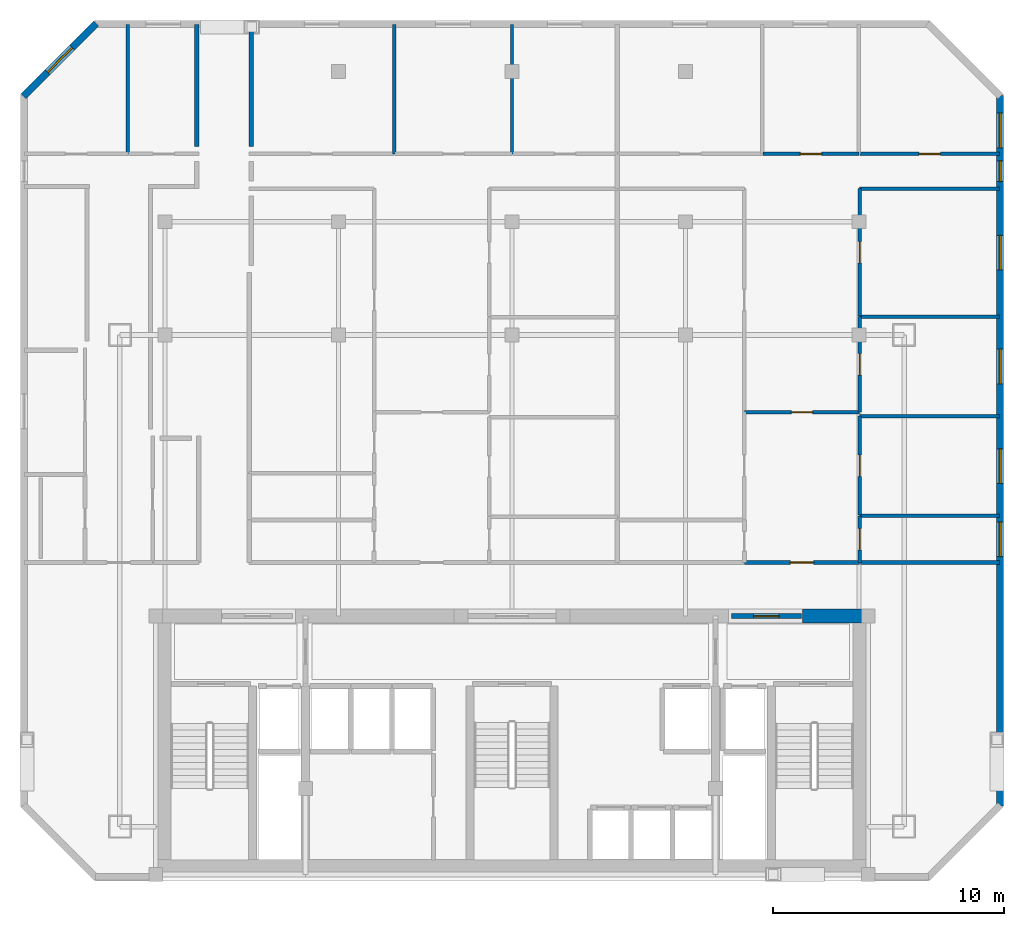
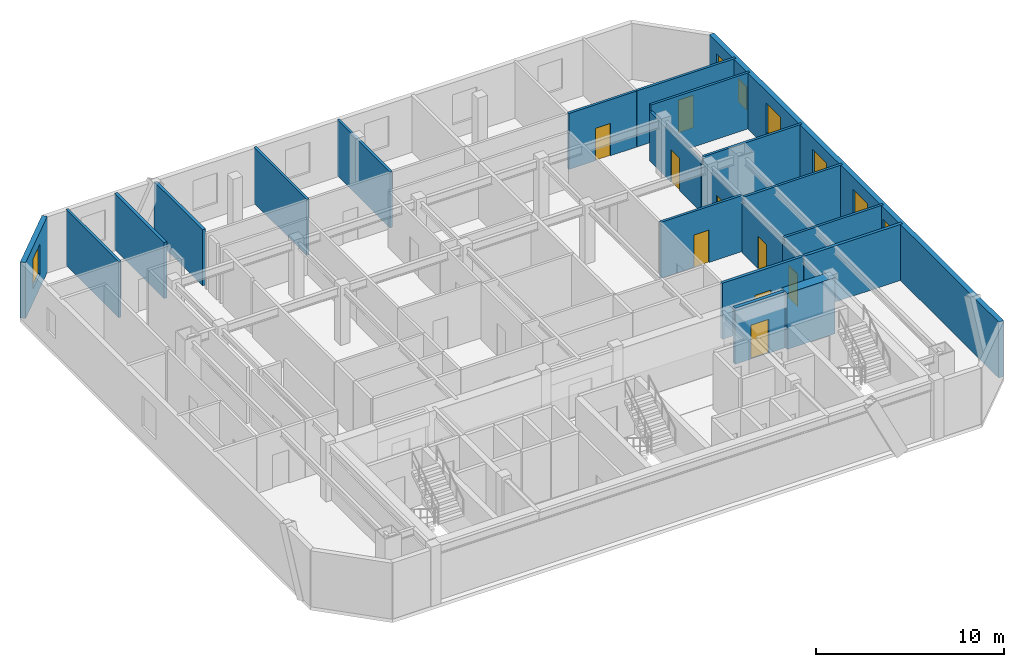
# One storey, part 5 of 7: 22 walls, 9 doors, 7 windows, 16 openings.
"""IFC4 building model written with IfcOpenShell, lengths in metres."""

from ifc_helpers import new_model, si_unit, direction, frame, frame_2d, origin, place, context, subcontext, project, spatial, rectangle, extrude, material, layer, layer_set, type_object, element, fill, save


model = new_model("IFC4")

# Units and contexts
model_context = context("Model", 3, precision=1e-05, world=origin(), true_north=direction((0.0, 1.0)))
body_context = subcontext(model_context, "Body", "Model", "MODEL_VIEW")
ifc_project = project(units=[si_unit("LENGTHUNIT", "METRE"), si_unit("AREAUNIT", "SQUARE_METRE"), si_unit("VOLUMEUNIT", "CUBIC_METRE"), si_unit("PLANEANGLEUNIT", "RADIAN"), si_unit("MASSUNIT", "GRAM", prefix="KILO")], contexts=[model_context])

# Site, building, storey
site_placement = place(None, origin())
site = spatial("IfcSite", under=ifc_project, at=site_placement, CompositionType="ELEMENT")
building_placement = place(site_placement, origin())
building = spatial("IfcBuilding", under=site, at=building_placement, Name="Ventersveld Concourse Tower", CompositionType="ELEMENT")
storey_placement = place(building_placement, frame((0.0, 0.0, 223.39990234375)))
storey = spatial("IfcBuildingStorey", under=building, at=storey_placement, Name="L55", CompositionType="ELEMENT", Elevation=223.39990234375)

# Wall
ifc_material_1 = material(Name="Concrete C50/60", Category="concrete")
ifc_layer_1 = layer(ifc_material_1, 0.60009765625)
ifc_layer_set_1 = layer_set([ifc_layer_1], Name="Concrete C50/60")
wall_type_1 = type_object("IfcWallType", Name="WL-CORE-600", PredefinedType="SHEAR", material=ifc_layer_set_1)
wall_1_placement = place(storey_placement, frame((41.300048828125, 11.449951171875, 0.0), z_axis=(0.0, 0.0, 1.0), x_axis=(1.0, 0.0, 0.0)))
element("IfcWall", 1, at=wall_1_placement, inside=storey, type_object=wall_type_1, Name="L55 Rear Core North Shear Wall NE", PredefinedType="SHEAR", context=body_context, shape_type="SweptSolid", body=[
    extrude(rectangle(XDim=2.949951171875, YDim=0.60009765625, at=frame_2d((1.47509765625, 0.0))), origin(), (0.0, 0.0, 1.0), 3.630126953125),
])

# Wall, opening, door
ifc_material_2 = material(Name="Fire-rated autoclaved aerated masonry blockwork", Category="masonry")
ifc_layer_2 = layer(ifc_material_2, 0.179931640625)
ifc_layer_set_2 = layer_set([ifc_layer_2], Name="Fire-rated autoclaved aerated masonry blockwork")
wall_type_2 = type_object("IfcWallType", Name="WL-CORR-180", PredefinedType="PARTITIONING", material=ifc_layer_set_2)
wall_2_placement = place(storey_placement, frame((38.792724609375, 13.77001953125, 0.0), z_axis=(0.0, 0.0, 1.0), x_axis=(1.0, 0.0, 0.0)))
wall_2 = element("IfcWall", 2, at=wall_2_placement, inside=storey, type_object=wall_type_2, Name="L55 Interior Partition SP-L55-COR-SP-L55-55N2-FOY", PredefinedType="PARTITIONING", context=body_context, shape_type="SweptSolid", body=[
    extrude(rectangle(XDim=4.989990234375, YDim=0.179931640625, at=frame_2d((2.4951171875, 0.0))), origin(), (0.0, 0.0, 1.0), 3.630126953125),
])
opening_1_placement = place(wall_2_placement, frame((1.9951171875, 0.0, 0.0)))
opening_1 = element("IfcOpeningElement", 3, at=opening_1_placement, cuts=wall_2, Name="Opening FD3", PredefinedType="OPENING", context=body_context, shape_type="SweptSolid", body=[
    extrude(rectangle(XDim=1.0, YDim=2.14990234375, at=frame_2d((0.5, 1.074951171875))), frame((0.0, 0.10009765625, 0.0), z_axis=(0.0, -1.0, 0.0), x_axis=(1.0, 0.0, 0.0)), (0.0, 0.0, 1.0), 0.199951171875),
])
ifc_material_3 = material(Name="Solid-core hardwood veneer timber", Category="wood")
door_type_1 = type_object("IfcDoorType", Name="DR-FLAT-100", OperationType="NOTDEFINED", PredefinedType="DOOR", material=ifc_material_3)
door_1_placement = place(opening_1_placement, origin())
door_1 = element("IfcDoor", 4, at=door_1_placement, inside=storey, type_object=door_type_1, Name="L55 Interior Door SP-L55-COR to SP-L55-55N2-FOY (FD-L55-2665)", OperationType="SINGLE_SWING_LEFT", OverallHeight=2.14990234375, OverallWidth=1.0, PredefinedType="DOOR", context=body_context, shape_type="SweptSolid", body=[
    extrude(rectangle(XDim=1.0, YDim=2.14990234375, at=frame_2d((0.5, 1.074951171875))), frame((0.0, 0.02490234375, 0.0), z_axis=(0.0, -1.0, 0.0), x_axis=(1.0, 0.0, 0.0)), (0.0, 0.0, 1.0), 0.050048828125),
])
fill(opening_1, door_1)

# Walls
wall_3_placement = place(storey_placement, frame((43.812744140625, 13.77001953125, 0.0), z_axis=(0.0, 0.0, 1.0), x_axis=(1.0, 0.0, 0.0)))
element("IfcWall", 5, at=wall_3_placement, inside=storey, type_object=wall_type_2, Name="L55 Interior Partition SP-L55-COR-SP-L55-55N2-KIT", PredefinedType="PARTITIONING", context=body_context, shape_type="SweptSolid", body=[
    extrude(rectangle(XDim=6.0146484375, YDim=0.179931640625, at=frame_2d((3.00732421875, 0.0))), origin(), (0.0, 0.0, 1.0), 3.630126953125),
])
wall_4_placement = place(storey_placement, frame((15.1201171875, 37.027587890625, 0.0), z_axis=(0.0, 0.0, 1.0), x_axis=(0.0, -1.0, 0.0)))
element("IfcWall", 6, at=wall_4_placement, inside=storey, type_object=wall_type_2, Name="L55 Room Enclosure Wall SP-L55-55NW-BR2", PredefinedType="PARTITIONING", context=body_context, shape_type="SweptSolid", body=[
    extrude(rectangle(XDim=5.272705078125, YDim=0.179931640625, at=frame_2d((2.63623046875, 0.0))), origin(), (0.0, 0.0, 1.0), 3.630126953125),
])
wall_5_placement = place(storey_placement, frame((17.47998046875, 31.7548828125, 0.0), z_axis=(0.0, 0.0, 1.0), x_axis=(0.0, 1.0, 0.0)))
element("IfcWall", 7, at=wall_5_placement, inside=storey, type_object=wall_type_2, Name="L55 Room Enclosure Wall SP-L55-55N1-BR1", PredefinedType="PARTITIONING", context=body_context, shape_type="SweptSolid", body=[
    extrude(rectangle(XDim=5.147216796875, YDim=0.179931640625, at=frame_2d((2.57373046875, 0.0))), origin(), (0.0, 0.0, 1.0), 3.630126953125),
])

# Wall, opening, door
ifc_layer_3 = layer(ifc_material_2, 0.219970703125)
ifc_layer_set_3 = layer_set([ifc_layer_3], Name="Fire-rated autoclaved aerated masonry blockwork")
wall_type_3 = type_object("IfcWallType", Name="WL-HOIST-220", PredefinedType="SOLIDWALL", material=ifc_layer_set_3)
wall_6_placement = place(storey_placement, frame((38.22998046875, 11.449951171875, 0.0), z_axis=(0.0, 0.0, 1.0), x_axis=(1.0, 0.0, 0.0)))
wall_6 = element("IfcWall", 8, at=wall_6_placement, inside=storey, type_object=wall_type_3, Name="L55 Core North Fire Portal FFLE-OUT", PredefinedType="SOLIDWALL", context=body_context, shape_type="SweptSolid", body=[
    extrude(rectangle(XDim=3.0400390625, YDim=0.219970703125, at=frame_2d((1.52001953125, 0.0))), origin(), (0.0, 0.0, 1.0), 3.630126953125),
])
opening_2_placement = place(wall_6_placement, frame((0.969970703125, 0.0, 0.0)))
opening_2 = element("IfcOpeningElement", 9, at=opening_2_placement, cuts=wall_6, Name="Opening FD2", PredefinedType="OPENING", context=body_context, shape_type="SweptSolid", body=[
    extrude(rectangle(XDim=1.10009765625, YDim=2.199951171875, at=frame_2d((0.550048828125, 1.10009765625))), frame((0.0, 0.1201171875, 0.0), z_axis=(0.0, -1.0, 0.0), x_axis=(1.0, 0.0, 0.0)), (0.0, 0.0, 1.0), 0.239990234375),
])
ifc_material_4 = material(Name="Galvanised painted steel", Category="steel")
door_type_2 = type_object("IfcDoorType", Name="DR-FFL-110", OperationType="NOTDEFINED", PredefinedType="DOOR", material=ifc_material_4)
door_2_placement = place(opening_2_placement, origin())
door_2 = element("IfcDoor", 10, at=door_2_placement, inside=storey, type_object=door_type_2, Name="L55 Core Lobby Fire Door FFLE-OUT (FD-L55-2661)", OperationType="SINGLE_SWING_LEFT", OverallHeight=2.199951171875, OverallWidth=1.10009765625, PredefinedType="DOOR", context=body_context, shape_type="SweptSolid", body=[
    extrude(rectangle(XDim=1.10009765625, YDim=2.199951171875, at=frame_2d((0.550048828125, 1.10009765625))), frame((0.0, 0.02490234375, 0.0), z_axis=(0.0, -1.0, 0.0), x_axis=(1.0, 0.0, 0.0)), (0.0, 0.0, 1.0), 0.050048828125),
])
fill(opening_2, door_2)

# Walls
ifc_material_5 = material(Name="Autoclaved aerated masonry blockwork", Category="masonry")
ifc_layer_4 = layer(ifc_material_5, 0.14990234375)
ifc_layer_set_4 = layer_set([ifc_layer_4], Name="Autoclaved aerated masonry blockwork")
wall_type_4 = type_object("IfcWallType", Name="WL-INT-150", PredefinedType="PARTITIONING", material=ifc_layer_set_4)
for number, where, z_axis, x_axis, name in (
    (11, (12.135986328125, 31.425048828125, 0.0), (0.0, 0.0, 1.0), (0.0, 1.0, 0.0), "L55 Interior Partition SP-L55-55NW-BR1-SP-L55-55NW-BR2"),
    (12, (23.654052734375, 31.425048828125, 0.0), (0.0, 0.0, 1.0), (0.0, 1.0, 0.0), "L55 Interior Partition SP-L55-55N1-BR1-SP-L55-55N1-BR2"),
    (13, (28.75, 31.425048828125, 0.0), (0.0, 0.0, 1.0), (0.0, 1.0, 0.0), "L55 Interior Partition SP-L55-55N1-BR2-SP-L55-55N1-BR3"),
):
    element("IfcWall", number, at=place(storey_placement, frame(where, z_axis=z_axis, x_axis=x_axis)), inside=storey, type_object=wall_type_4, Name=name, PredefinedType="PARTITIONING", context=body_context, shape_type="SweptSolid", body=[
        extrude(rectangle(XDim=5.6025390625, YDim=0.14990234375, at=frame_2d((2.80126953125, 0.0))), origin(), (0.0, 0.0, 1.0), 3.630126953125),
    ])

# Wall, opening, door
wall_7_placement = place(storey_placement, frame((38.792724609375, 20.26904296875, 0.0), z_axis=(0.0, 0.0, 1.0), x_axis=(1.0, 0.0, 0.0)))
wall_7 = element("IfcWall", 14, at=wall_7_placement, inside=storey, type_object=wall_type_4, Name="L55 Interior Partition SP-L55-55N2-FOY-SP-L55-55N2-LIV", PredefinedType="PARTITIONING", context=body_context, shape_type="SweptSolid", body=[
    extrude(rectangle(XDim=4.989990234375, YDim=0.14990234375, at=frame_2d((2.4951171875, 0.0))), origin(), (0.0, 0.0, 1.0), 3.630126953125),
])
opening_3_placement = place(wall_7_placement, frame((2.034912109375, 0.0, 0.0)))
opening_3 = element("IfcOpeningElement", 15, at=opening_3_placement, cuts=wall_7, Name="Opening ID1", PredefinedType="OPENING", context=body_context, shape_type="SweptSolid", body=[
    extrude(rectangle(XDim=0.919921875, YDim=2.10009765625, at=frame_2d((0.4599609375, 1.050048828125))), frame((0.0, 0.0849609375, 0.0), z_axis=(0.0, -1.0, 0.0), x_axis=(1.0, 0.0, 0.0)), (0.0, 0.0, 1.0), 0.169921875),
])
door_type_3 = type_object("IfcDoorType", Name="DR-ROOM-092", OperationType="NOTDEFINED", PredefinedType="DOOR", material=ifc_material_3)
door_3_placement = place(opening_3_placement, origin())
door_3 = element("IfcDoor", 16, at=door_3_placement, inside=storey, type_object=door_type_3, Name="L55 Interior Door SP-L55-55N2-FOY to SP-L55-55N2-LIV (D-L55-2683)", OperationType="SINGLE_SWING_LEFT", OverallHeight=2.10009765625, OverallWidth=0.919921875, PredefinedType="DOOR", context=body_context, shape_type="SweptSolid", body=[
    extrude(rectangle(XDim=0.919921875, YDim=2.10009765625, at=frame_2d((0.4599609375, 1.050048828125))), frame((0.0, 0.02490234375, 0.0), z_axis=(0.0, -1.0, 0.0), x_axis=(1.0, 0.0, 0.0)), (0.0, 0.0, 1.0), 0.050048828125),
])
fill(opening_3, door_3)

wall_8_placement = place(storey_placement, frame((43.777587890625, 13.764892578125, 0.0), z_axis=(0.0, 0.0, 1.0), x_axis=(0.0, 1.0, 0.0)))
wall_8 = element("IfcWall", 17, at=wall_8_placement, inside=storey, type_object=wall_type_4, Name="L55 Interior Partition SP-L55-55N2-FOY-SP-L55-55N2-KIT", PredefinedType="PARTITIONING", context=body_context, shape_type="SweptSolid", body=[
    extrude(rectangle(XDim=2.017822265625, YDim=0.14990234375, at=frame_2d((1.0087890625, 0.0))), origin(), (0.0, 0.0, 1.0), 3.2236328125),
])
opening_4_placement = place(wall_8_placement, frame((0.548828125, 0.0, 0.0)))
opening_4 = element("IfcOpeningElement", 18, at=opening_4_placement, cuts=wall_8, Name="Opening ID1", PredefinedType="OPENING", context=body_context, shape_type="SweptSolid", body=[
    extrude(rectangle(XDim=0.919921875, YDim=2.10009765625, at=frame_2d((0.4599609375, 1.050048828125))), frame((0.0, 0.0849609375, 0.0), z_axis=(0.0, -1.0, 0.0), x_axis=(1.0, 0.0, 0.0)), (0.0, 0.0, 1.0), 0.169921875),
])
door_4_placement = place(opening_4_placement, origin())
door_4 = element("IfcDoor", 19, at=door_4_placement, inside=storey, type_object=door_type_3, Name="L55 Interior Door SP-L55-55N2-FOY to SP-L55-55N2-KIT (D-L55-2686)", OperationType="SINGLE_SWING_RIGHT", OverallHeight=2.10009765625, OverallWidth=0.919921875, PredefinedType="DOOR", context=body_context, shape_type="SweptSolid", body=[
    extrude(rectangle(XDim=0.919921875, YDim=2.10009765625, at=frame_2d((0.4599609375, 1.050048828125))), frame((0.0, 0.02490234375, 0.0), z_axis=(0.0, -1.0, 0.0), x_axis=(1.0, 0.0, 0.0)), (0.0, 0.0, 1.0), 0.050048828125),
])
fill(opening_4, door_4)

wall_9_placement = place(storey_placement, frame((43.777587890625, 15.812744140625, 0.0), z_axis=(0.0, 0.0, 1.0), x_axis=(0.0, 1.0, 0.0)))
wall_9 = element("IfcWall", 20, at=wall_9_placement, inside=storey, type_object=wall_type_4, Name="L55 Interior Partition SP-L55-55N2-FOY-SP-L55-55N2-DENR", PredefinedType="PARTITIONING", context=body_context, shape_type="SweptSolid", body=[
    extrude(rectangle(XDim=4.279052734375, YDim=0.14990234375, at=frame_2d((2.1396484375, 0.0))), origin(), (0.0, 0.0, 1.0), 3.2236328125),
])
opening_5_placement = place(wall_9_placement, frame((1.679443359375, 0.0, 0.0)))
opening_5 = element("IfcOpeningElement", 21, at=opening_5_placement, cuts=wall_9, Name="Opening ID1", PredefinedType="OPENING", context=body_context, shape_type="SweptSolid", body=[
    extrude(rectangle(XDim=0.919921875, YDim=2.10009765625, at=frame_2d((0.4599609375, 1.050048828125))), frame((0.0, 0.0849609375, 0.0), z_axis=(0.0, -1.0, 0.0), x_axis=(1.0, 0.0, 0.0)), (0.0, 0.0, 1.0), 0.169921875),
])
door_5_placement = place(opening_5_placement, origin())
door_5 = element("IfcDoor", 22, at=door_5_placement, inside=storey, type_object=door_type_3, Name="L55 Interior Door SP-L55-55N2-FOY to SP-L55-55N2-DENR (D-L55-2687)", OperationType="SINGLE_SWING_LEFT", OverallHeight=2.10009765625, OverallWidth=0.919921875, PredefinedType="DOOR", context=body_context, shape_type="SweptSolid", body=[
    extrude(rectangle(XDim=0.919921875, YDim=2.10009765625, at=frame_2d((0.4599609375, 1.050048828125))), frame((0.0, 0.02490234375, 0.0), z_axis=(0.0, -1.0, 0.0), x_axis=(1.0, 0.0, 0.0)), (0.0, 0.0, 1.0), 0.050048828125),
])
fill(opening_5, door_5)

wall_10_placement = place(storey_placement, frame((43.777587890625, 20.26416015625, 0.0), z_axis=(0.0, 0.0, 1.0), x_axis=(0.0, 1.0, 0.0)))
wall_10 = element("IfcWall", 23, at=wall_10_placement, inside=storey, type_object=wall_type_4, Name="L55 Interior Partition SP-L55-55N2-LIV-SP-L55-55N2-DENS", PredefinedType="PARTITIONING", context=body_context, shape_type="SweptSolid", body=[
    extrude(rectangle(XDim=4.13671875, YDim=0.14990234375, at=frame_2d((2.068359375, 0.0))), origin(), (0.0, 0.0, 1.0), 3.2236328125),
])
opening_6_placement = place(wall_10_placement, frame((1.6083984375, 0.0, 0.0)))
opening_6 = element("IfcOpeningElement", 24, at=opening_6_placement, cuts=wall_10, Name="Opening ID1", PredefinedType="OPENING", context=body_context, shape_type="SweptSolid", body=[
    extrude(rectangle(XDim=0.919921875, YDim=2.10009765625, at=frame_2d((0.4599609375, 1.050048828125))), frame((0.0, 0.0849609375, 0.0), z_axis=(0.0, -1.0, 0.0), x_axis=(1.0, 0.0, 0.0)), (0.0, 0.0, 1.0), 0.169921875),
])
door_6_placement = place(opening_6_placement, origin())
door_6 = element("IfcDoor", 25, at=door_6_placement, inside=storey, type_object=door_type_3, Name="L55 Interior Door SP-L55-55N2-LIV to SP-L55-55N2-DENS (D-L55-2689)", OperationType="SINGLE_SWING_LEFT", OverallHeight=2.10009765625, OverallWidth=0.919921875, PredefinedType="DOOR", context=body_context, shape_type="SweptSolid", body=[
    extrude(rectangle(XDim=0.919921875, YDim=2.10009765625, at=frame_2d((0.4599609375, 1.050048828125))), frame((0.0, 0.02490234375, 0.0), z_axis=(0.0, -1.0, 0.0), x_axis=(1.0, 0.0, 0.0)), (0.0, 0.0, 1.0), 0.050048828125),
])
fill(opening_6, door_6)

wall_11_placement = place(storey_placement, frame((43.777587890625, 24.430908203125, 0.0), z_axis=(0.0, 0.0, 1.0), x_axis=(0.0, 1.0, 0.0)))
wall_11 = element("IfcWall", 26, at=wall_11_placement, inside=storey, type_object=wall_type_4, Name="L55 Interior Partition SP-L55-55N2-LIV-SP-L55-55N2-DENS2", PredefinedType="PARTITIONING", context=body_context, shape_type="SweptSolid", body=[
    extrude(rectangle(XDim=5.504150390625, YDim=0.14990234375, at=frame_2d((2.751953125, 0.0))), origin(), (0.0, 0.0, 1.0), 3.2236328125),
])
opening_7_placement = place(wall_11_placement, frame((2.2919921875, 0.0, 0.0)))
opening_7 = element("IfcOpeningElement", 27, at=opening_7_placement, cuts=wall_11, Name="Opening ID1", PredefinedType="OPENING", context=body_context, shape_type="SweptSolid", body=[
    extrude(rectangle(XDim=0.919921875, YDim=2.10009765625, at=frame_2d((0.4599609375, 1.050048828125))), frame((0.0, 0.0849609375, 0.0), z_axis=(0.0, -1.0, 0.0), x_axis=(1.0, 0.0, 0.0)), (0.0, 0.0, 1.0), 0.169921875),
])
door_7_placement = place(opening_7_placement, origin())
door_7 = element("IfcDoor", 28, at=door_7_placement, inside=storey, type_object=door_type_3, Name="L55 Interior Door SP-L55-55N2-LIV to SP-L55-55N2-DENS2 (D-L55-2690)", OperationType="SINGLE_SWING_RIGHT", OverallHeight=2.10009765625, OverallWidth=0.919921875, PredefinedType="DOOR", context=body_context, shape_type="SweptSolid", body=[
    extrude(rectangle(XDim=0.919921875, YDim=2.10009765625, at=frame_2d((0.4599609375, 1.050048828125))), frame((0.0, 0.02490234375, 0.0), z_axis=(0.0, -1.0, 0.0), x_axis=(1.0, 0.0, 0.0)), (0.0, 0.0, 1.0), 0.050048828125),
])
fill(opening_7, door_7)

# Wall
wall_12_placement = place(storey_placement, frame((43.772705078125, 29.929931640625, 0.0), z_axis=(0.0, 0.0, 1.0), x_axis=(1.0, 0.0, 0.0)))
element("IfcWall", 29, at=wall_12_placement, inside=storey, type_object=wall_type_4, Name="L55 Interior Partition SP-L55-55N2-LIV-SP-L55-55N2-DENS2", PredefinedType="PARTITIONING", context=body_context, shape_type="SweptSolid", body=[
    extrude(rectangle(XDim=6.0546875, YDim=0.14990234375, at=frame_2d((3.02734375, 0.0))), origin(), (0.0, 0.0, 1.0), 3.630126953125),
])

# Wall, opening, door
wall_13_placement = place(storey_placement, frame((39.59912109375, 31.429931640625, 0.0), z_axis=(0.0, 0.0, 1.0), x_axis=(1.0, 0.0, 0.0)))
wall_13 = element("IfcWall", 30, at=wall_13_placement, inside=storey, type_object=wall_type_4, Name="L55 Interior Partition SP-L55-55N2-LIV-SP-L55-55N2-BR2", PredefinedType="PARTITIONING", context=body_context, shape_type="SweptSolid", body=[
    extrude(rectangle(XDim=4.15576171875, YDim=0.14990234375, at=frame_2d((2.077880859375, 0.0))), origin(), (0.0, 0.0, 1.0), 3.630126953125),
])
opening_8_placement = place(wall_13_placement, frame((1.617919921875, 0.0, 0.0)))
opening_8 = element("IfcOpeningElement", 31, at=opening_8_placement, cuts=wall_13, Name="Opening ID1", PredefinedType="OPENING", context=body_context, shape_type="SweptSolid", body=[
    extrude(rectangle(XDim=0.919921875, YDim=2.10009765625, at=frame_2d((0.4599609375, 1.050048828125))), frame((0.0, 0.0849609375, 0.0), z_axis=(0.0, -1.0, 0.0), x_axis=(1.0, 0.0, 0.0)), (0.0, 0.0, 1.0), 0.169921875),
])
door_8_placement = place(opening_8_placement, origin())
door_8 = element("IfcDoor", 32, at=door_8_placement, inside=storey, type_object=door_type_3, Name="L55 Interior Door SP-L55-55N2-LIV to SP-L55-55N2-BR2 (D-L55-2692)", OperationType="SINGLE_SWING_RIGHT", OverallHeight=2.10009765625, OverallWidth=0.919921875, PredefinedType="DOOR", context=body_context, shape_type="SweptSolid", body=[
    extrude(rectangle(XDim=0.919921875, YDim=2.10009765625, at=frame_2d((0.4599609375, 1.050048828125))), frame((0.0, 0.02490234375, 0.0), z_axis=(0.0, -1.0, 0.0), x_axis=(1.0, 0.0, 0.0)), (0.0, 0.0, 1.0), 0.050048828125),
])
fill(opening_8, door_8)

wall_14_placement = place(storey_placement, frame((43.784912109375, 31.429931640625, 0.0), z_axis=(0.0, 0.0, 1.0), x_axis=(1.0, 0.0, 0.0)))
wall_14 = element("IfcWall", 33, at=wall_14_placement, inside=storey, type_object=wall_type_4, Name="L55 Interior Partition SP-L55-55N2-LIV-SP-L55-55N2-BR3", PredefinedType="PARTITIONING", context=body_context, shape_type="SweptSolid", body=[
    extrude(rectangle(XDim=6.04248046875, YDim=0.14990234375, at=frame_2d((3.021240234375, 0.0))), origin(), (0.0, 0.0, 1.0), 3.630126953125),
])
opening_9_placement = place(wall_14_placement, frame((2.561279296875, 0.0, 0.0)))
opening_9 = element("IfcOpeningElement", 34, at=opening_9_placement, cuts=wall_14, Name="Opening ID1", PredefinedType="OPENING", context=body_context, shape_type="SweptSolid", body=[
    extrude(rectangle(XDim=0.919921875, YDim=2.10009765625, at=frame_2d((0.4599609375, 1.050048828125))), frame((0.0, 0.0849609375, 0.0), z_axis=(0.0, -1.0, 0.0), x_axis=(1.0, 0.0, 0.0)), (0.0, 0.0, 1.0), 0.169921875),
])
door_9_placement = place(opening_9_placement, origin())
door_9 = element("IfcDoor", 35, at=door_9_placement, inside=storey, type_object=door_type_3, Name="L55 Interior Door SP-L55-55N2-LIV to SP-L55-55N2-BR3 (D-L55-2693)", OperationType="SINGLE_SWING_LEFT", OverallHeight=2.10009765625, OverallWidth=0.919921875, PredefinedType="DOOR", context=body_context, shape_type="SweptSolid", body=[
    extrude(rectangle(XDim=0.919921875, YDim=2.10009765625, at=frame_2d((0.4599609375, 1.050048828125))), frame((0.0, 0.02490234375, 0.0), z_axis=(0.0, -1.0, 0.0), x_axis=(1.0, 0.0, 0.0)), (0.0, 0.0, 1.0), 0.050048828125),
])
fill(opening_9, door_9)

# Walls
for number, where, z_axis, x_axis, name in (
    (36, (43.772705078125, 15.77783203125, 0.0), (0.0, 0.0, 1.0), (1.0, 0.0, 0.0), "L55 Interior Partition SP-L55-55N2-KIT-SP-L55-55N2-DENR"),
    (37, (43.772705078125, 20.0869140625, 0.0), (0.0, 0.0, 1.0), (1.0, 0.0, 0.0), "L55 Interior Partition SP-L55-55N2-DENR-SP-L55-55N2-DENS"),
    (38, (43.772705078125, 24.395751953125, 0.0), (0.0, 0.0, 1.0), (1.0, 0.0, 0.0), "L55 Interior Partition SP-L55-55N2-DENS-SP-L55-55N2-DENS2"),
):
    element("IfcWall", number, at=place(storey_placement, frame(where, z_axis=z_axis, x_axis=x_axis)), inside=storey, type_object=wall_type_4, Name=name, PredefinedType="PARTITIONING", context=body_context, shape_type="SweptSolid", body=[
        extrude(rectangle(XDim=6.0546875, YDim=0.14990234375, at=frame_2d((3.02734375, 0.0))), origin(), (0.0, 0.0, 1.0), 3.630126953125),
    ])

# Wall, openings, windows
ifc_material_6 = material(Name="Precast concrete C45/55", Category="concrete")
ifc_layer_5 = layer(ifc_material_6, 0.300048828125)
ifc_layer_set_5 = layer_set([ifc_layer_5], Name="Precast concrete C45/55")
wall_type_5 = type_object("IfcWallType", Name="WL-PREC-300", PredefinedType="SOLIDWALL", material=ifc_layer_set_5)
wall_15_placement = place(storey_placement, frame((49.85009765625, 3.239990234375, 0.0), z_axis=(0.0, 0.0, 1.0), x_axis=(0.0, 1.0, 0.0)))
wall_15 = element("IfcWall", 39, at=wall_15_placement, inside=storey, type_object=wall_type_5, Name="L55 Highveld Precast Facade Wall E03", PredefinedType="SOLIDWALL", context=body_context, shape_type="SweptSolid", body=[
    extrude(rectangle(XDim=30.719970703125, YDim=0.300048828125, at=frame_2d((15.35986328125, 0.0))), origin(), (0.0, 0.0, 1.0), 3.630126953125),
])
opening_10_placement = place(wall_15_placement, frame((26.989990234375, 0.0, 0.949951171875)))
opening_10 = element("IfcOpeningElement", 40, at=opening_10_placement, cuts=wall_15, Name="Opening W4", PredefinedType="OPENING", context=body_context, shape_type="SweptSolid", body=[
    extrude(rectangle(XDim=0.89990234375, YDim=1.5, at=frame_2d((0.449951171875, 0.75))), frame((0.0, 0.16015625, 0.0), z_axis=(0.0, -1.0, 0.0), x_axis=(1.0, 0.0, 0.0)), (0.0, 0.0, 1.0), 0.320068359375),
])
opening_11_placement = place(wall_15_placement, frame((10.783935546875, 0.0, 0.89990234375)))
opening_11 = element("IfcOpeningElement", 41, at=opening_11_placement, cuts=wall_15, Name="Opening W1", PredefinedType="OPENING", context=body_context, shape_type="SweptSolid", body=[
    extrude(rectangle(XDim=1.5, YDim=1.949951171875, at=frame_2d((0.75, 0.97509765625))), frame((0.0, 0.16015625, 0.0), z_axis=(0.0, -1.0, 0.0), x_axis=(1.0, 0.0, 0.0)), (0.0, 0.0, 1.0), 0.320068359375),
])
opening_12_placement = place(wall_15_placement, frame((13.9423828125, 0.0, 0.89990234375)))
opening_12 = element("IfcOpeningElement", 42, at=opening_12_placement, cuts=wall_15, Name="Opening W1", PredefinedType="OPENING", context=body_context, shape_type="SweptSolid", body=[
    extrude(rectangle(XDim=1.5, YDim=1.949951171875, at=frame_2d((0.75, 0.97509765625))), frame((0.0, 0.16015625, 0.0), z_axis=(0.0, -1.0, 0.0), x_axis=(1.0, 0.0, 0.0)), (0.0, 0.0, 1.0), 0.320068359375),
])
opening_13_placement = place(wall_15_placement, frame((18.251220703125, 0.0, 0.89990234375)))
opening_13 = element("IfcOpeningElement", 43, at=opening_13_placement, cuts=wall_15, Name="Opening W1", PredefinedType="OPENING", context=body_context, shape_type="SweptSolid", body=[
    extrude(rectangle(XDim=1.5, YDim=1.949951171875, at=frame_2d((0.75, 0.97509765625))), frame((0.0, 0.16015625, 0.0), z_axis=(0.0, -1.0, 0.0), x_axis=(1.0, 0.0, 0.0)), (0.0, 0.0, 1.0), 0.320068359375),
])
opening_14_placement = place(wall_15_placement, frame((23.1728515625, 0.0, 0.89990234375)))
opening_14 = element("IfcOpeningElement", 44, at=opening_14_placement, cuts=wall_15, Name="Opening W1", PredefinedType="OPENING", context=body_context, shape_type="SweptSolid", body=[
    extrude(rectangle(XDim=1.5, YDim=1.949951171875, at=frame_2d((0.75, 0.97509765625))), frame((0.0, 0.16015625, 0.0), z_axis=(0.0, -1.0, 0.0), x_axis=(1.0, 0.0, 0.0)), (0.0, 0.0, 1.0), 0.320068359375),
])
opening_15_placement = place(wall_15_placement, frame((28.449951171875, 0.0, 0.89990234375)))
opening_15 = element("IfcOpeningElement", 45, at=opening_15_placement, cuts=wall_15, Name="Opening W1", PredefinedType="OPENING", context=body_context, shape_type="SweptSolid", body=[
    extrude(rectangle(XDim=1.5, YDim=1.949951171875, at=frame_2d((0.75, 0.97509765625))), frame((0.0, 0.16015625, 0.0), z_axis=(0.0, -1.0, 0.0), x_axis=(1.0, 0.0, 0.0)), (0.0, 0.0, 1.0), 0.320068359375),
])
ifc_material_7 = material(Name="Tempered acoustic Low-E IGU", Category="glass")
window_type_1 = type_object("IfcWindowType", Name="WIN-090x150", PartitioningType="SINGLE_PANEL", PredefinedType="WINDOW", material=ifc_material_7)
window_1_placement = place(opening_10_placement, origin())
window_1 = element("IfcWindow", 46, at=window_1_placement, inside=storey, type_object=window_type_1, Name="L55 Punched Low-E Window W-0788", OverallHeight=1.5, OverallWidth=0.89990234375, PartitioningType="SINGLE_PANEL", PredefinedType="WINDOW", context=body_context, shape_type="SweptSolid", body=[
    extrude(rectangle(XDim=0.89990234375, YDim=1.5, at=frame_2d((0.449951171875, 0.75))), frame((0.0, 0.030029296875, 0.0), z_axis=(0.0, -1.0, 0.0), x_axis=(1.0, 0.0, 0.0)), (0.0, 0.0, 1.0), 0.06005859375),
])
fill(opening_10, window_1)
window_type_2 = type_object("IfcWindowType", Name="WIN-150x210", PartitioningType="SINGLE_PANEL", PredefinedType="WINDOW", material=ifc_material_7)
window_2_placement = place(opening_11_placement, origin())
window_2 = element("IfcWindow", 47, at=window_2_placement, inside=storey, type_object=window_type_2, Name="L55 Punched Low-E Window W-0789", OverallHeight=1.949951171875, OverallWidth=1.5, PartitioningType="SINGLE_PANEL", PredefinedType="WINDOW", context=body_context, shape_type="SweptSolid", body=[
    extrude(rectangle(XDim=1.5, YDim=1.949951171875, at=frame_2d((0.75, 0.97509765625))), frame((0.0, 0.030029296875, 0.0), z_axis=(0.0, -1.0, 0.0), x_axis=(1.0, 0.0, 0.0)), (0.0, 0.0, 1.0), 0.06005859375),
])
fill(opening_11, window_2)
window_3_placement = place(opening_12_placement, origin())
window_3 = element("IfcWindow", 48, at=window_3_placement, inside=storey, type_object=window_type_2, Name="L55 Punched Low-E Window W-0790", OverallHeight=1.949951171875, OverallWidth=1.5, PartitioningType="SINGLE_PANEL", PredefinedType="WINDOW", context=body_context, shape_type="SweptSolid", body=[
    extrude(rectangle(XDim=1.5, YDim=1.949951171875, at=frame_2d((0.75, 0.97509765625))), frame((0.0, 0.030029296875, 0.0), z_axis=(0.0, -1.0, 0.0), x_axis=(1.0, 0.0, 0.0)), (0.0, 0.0, 1.0), 0.06005859375),
])
fill(opening_12, window_3)
window_4_placement = place(opening_13_placement, origin())
window_4 = element("IfcWindow", 49, at=window_4_placement, inside=storey, type_object=window_type_2, Name="L55 Punched Low-E Window W-0791", OverallHeight=1.949951171875, OverallWidth=1.5, PartitioningType="SINGLE_PANEL", PredefinedType="WINDOW", context=body_context, shape_type="SweptSolid", body=[
    extrude(rectangle(XDim=1.5, YDim=1.949951171875, at=frame_2d((0.75, 0.97509765625))), frame((0.0, 0.030029296875, 0.0), z_axis=(0.0, -1.0, 0.0), x_axis=(1.0, 0.0, 0.0)), (0.0, 0.0, 1.0), 0.06005859375),
])
fill(opening_13, window_4)
window_5_placement = place(opening_14_placement, origin())
window_5 = element("IfcWindow", 50, at=window_5_placement, inside=storey, type_object=window_type_2, Name="L55 Punched Low-E Window W-0792", OverallHeight=1.949951171875, OverallWidth=1.5, PartitioningType="SINGLE_PANEL", PredefinedType="WINDOW", context=body_context, shape_type="SweptSolid", body=[
    extrude(rectangle(XDim=1.5, YDim=1.949951171875, at=frame_2d((0.75, 0.97509765625))), frame((0.0, 0.030029296875, 0.0), z_axis=(0.0, -1.0, 0.0), x_axis=(1.0, 0.0, 0.0)), (0.0, 0.0, 1.0), 0.06005859375),
])
fill(opening_14, window_5)
window_6_placement = place(opening_15_placement, origin())
window_6 = element("IfcWindow", 51, at=window_6_placement, inside=storey, type_object=window_type_2, Name="L55 Punched Low-E Window W-0795", OverallHeight=1.949951171875, OverallWidth=1.5, PartitioningType="SINGLE_PANEL", PredefinedType="WINDOW", context=body_context, shape_type="SweptSolid", body=[
    extrude(rectangle(XDim=1.5, YDim=1.949951171875, at=frame_2d((0.75, 0.97509765625))), frame((0.0, 0.030029296875, 0.0), z_axis=(0.0, -1.0, 0.0), x_axis=(1.0, 0.0, 0.0)), (0.0, 0.0, 1.0), 0.06005859375),
])
fill(opening_15, window_6)

# Wall, opening, window
wall_16_placement = place(storey_placement, frame((10.77783203125, 37.065673828125, 0.0), z_axis=(0.0, 0.0, 1.0), x_axis=(-0.707079321262, -0.707134240044, 0.0)))
wall_16 = element("IfcWall", 52, at=wall_16_placement, inside=storey, type_object=wall_type_5, Name="L55 Highveld Precast Facade Wall E06", PredefinedType="SOLIDWALL", context=body_context, shape_type="SweptSolid", body=[
    extrude(rectangle(XDim=4.445556640625, YDim=0.300048828125, at=frame_2d((2.22265625, 0.0))), origin(), (0.0, 0.0, 1.0), 3.630126953125),
])
opening_16_placement = place(wall_16_placement, frame((1.47265625, 0.0, 0.89990234375)))
opening_16 = element("IfcOpeningElement", 53, at=opening_16_placement, cuts=wall_16, Name="Opening W1", PredefinedType="OPENING", context=body_context, shape_type="SweptSolid", body=[
    extrude(rectangle(XDim=1.5, YDim=1.949951171875, at=frame_2d((0.75, 0.97509765625))), frame((0.0, 0.16015625, 0.0), z_axis=(0.0, -1.0, 0.0), x_axis=(1.0, 0.0, 0.0)), (0.0, 0.0, 1.0), 0.320068359375),
])
window_7_placement = place(opening_16_placement, origin())
window_7 = element("IfcWindow", 54, at=window_7_placement, inside=storey, type_object=window_type_2, Name="L55 Punched Low-E Window W-0783", OverallHeight=1.949951171875, OverallWidth=1.5, PartitioningType="SINGLE_PANEL", PredefinedType="WINDOW", context=body_context, shape_type="SweptSolid", body=[
    extrude(rectangle(XDim=1.5, YDim=1.949951171875, at=frame_2d((0.75, 0.97509765625))), frame((0.0, 0.030029296875, 0.0), z_axis=(0.0, -1.0, 0.0), x_axis=(1.0, 0.0, 0.0)), (0.0, 0.0, 1.0), 0.06005859375),
])
fill(opening_16, window_7)

save(model, "model.ifc")
